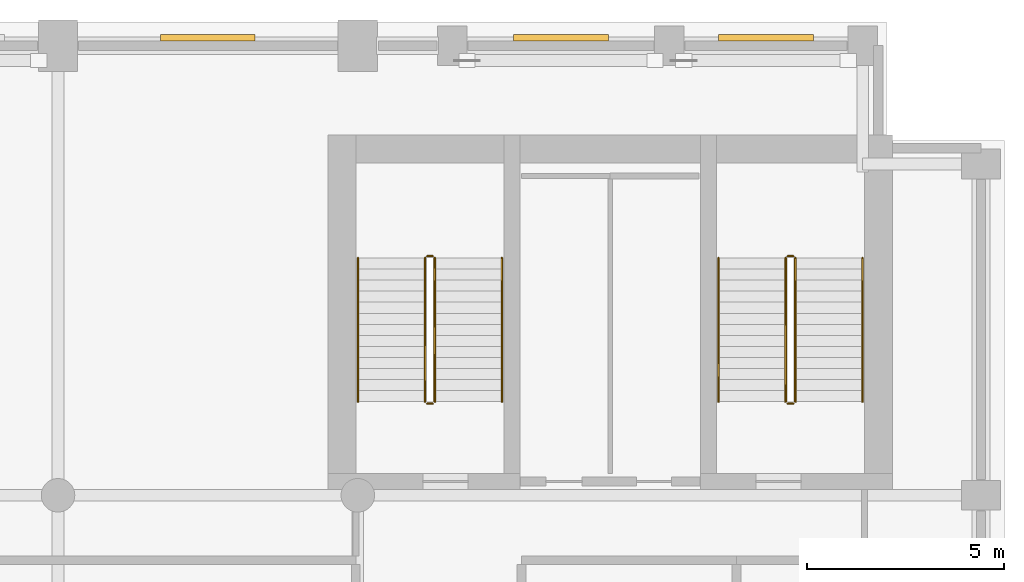
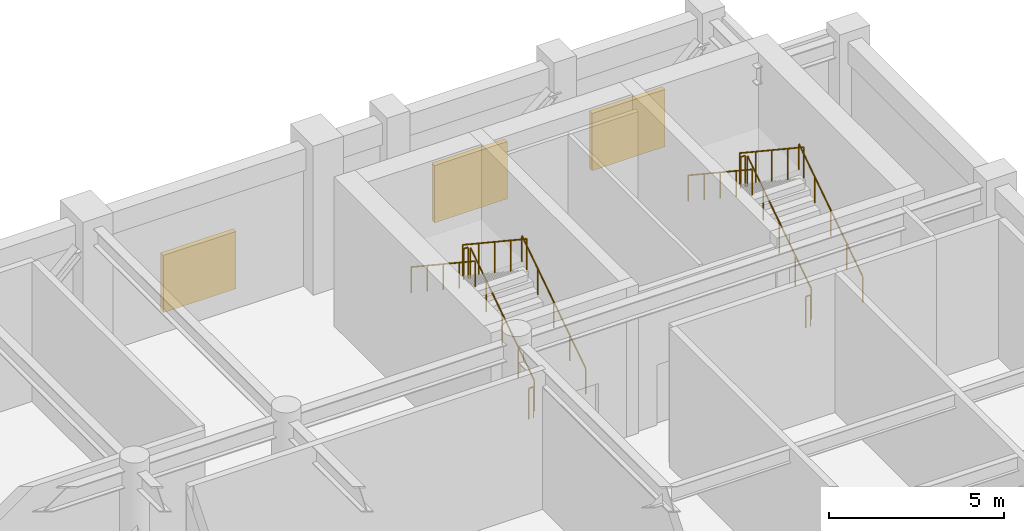
# One storey, part 11 of 11: 12 railings, 3 shading devices.
"""IFC4 building model written with IfcOpenShell, lengths in metres."""

from ifc_helpers import new_model, si_unit, direction, frame, origin, origin_2d, place, context, subcontext, project, spatial, rectangle, circle, extrude, material, type_object, element, save


model = new_model("IFC4")

# Units and contexts
model_context = context("Model", 3, precision=1e-05, world=origin(), true_north=direction((0.0, 1.0)))
body_context = subcontext(model_context, "Body", "Model", "MODEL_VIEW")
ifc_project = project(units=[si_unit("LENGTHUNIT", "METRE"), si_unit("AREAUNIT", "SQUARE_METRE"), si_unit("VOLUMEUNIT", "CUBIC_METRE"), si_unit("PLANEANGLEUNIT", "RADIAN"), si_unit("MASSUNIT", "GRAM", prefix="KILO")], contexts=[model_context])

# Site, building, storey
site_placement = place(None, origin())
site = spatial("IfcSite", under=ifc_project, at=site_placement, CompositionType="ELEMENT")
building_placement = place(site_placement, origin())
building = spatial("IfcBuilding", under=site, at=building_placement, Name="Sulina Concourse Tower", CompositionType="ELEMENT")
storey_placement = place(building_placement, frame((0.0, 0.0, 238.60009765625)))
storey = spatial("IfcBuildingStorey", under=building, at=storey_placement, Name="L58", CompositionType="ELEMENT", Elevation=238.60009765625)

# Railings
ifc_material_1 = material(Name="Galvanised steel railing", Category="steel")
railing_type_1 = type_object("IfcRailingType", Name="Core Stair Steel Guardrail 1150mm", PredefinedType="GUARDRAIL", material=ifc_material_1)
railing_1_placement = place(storey_placement, frame((43.554931640625, 36.375, 0.185546875)))
element("IfcRailing", 1, at=railing_1_placement, inside=storey, type_object=railing_type_1, Name="L58 ST-3 stair guard 1", PredefinedType="GUARDRAIL", context=body_context, shape_type="SweptSolid", body=[
    extrude(circle(Radius=0.02392578125, at=origin_2d()), frame((0.0, 0.0, 1.076171875), z_axis=(0.0, 0.833346510843, 0.552750932036), x_axis=(-1.0, 0.0, 0.0)), (0.0, 0.0, 1.0), 4.367919921875),
    extrude(circle(Radius=0.02099609375, at=origin_2d()), origin(), (0.0, 0.0, 1.0), 1.052001953125),
    extrude(circle(Radius=0.02099609375, at=origin_2d()), frame((0.0, 0.909912109375, 0.603515625)), (0.0, 0.0, 1.0), 1.052001953125),
    extrude(circle(Radius=0.02099609375, at=origin_2d()), frame((0.0, 1.81982421875, 1.20703125)), (0.0, 0.0, 1.0), 1.052001953125),
    extrude(circle(Radius=0.02099609375, at=origin_2d()), frame((0.0, 2.72998046875, 1.810791015625)), (0.0, 0.0, 1.0), 1.052001953125),
    extrude(circle(Radius=0.02099609375, at=origin_2d()), frame((0.0, 3.639892578125, 2.414306640625)), (0.0, 0.0, 1.0), 1.052001953125),
])
railing_2_placement = place(storey_placement, frame((43.5048828125, 40.06494140625, 2.599853515625)))
element("IfcRailing", 2, at=railing_2_placement, inside=storey, type_object=railing_type_1, Name="L58 ST-3 stair guard 2", PredefinedType="GUARDRAIL", context=body_context, shape_type="SweptSolid", body=[
    extrude(circle(Radius=0.02392578125, at=origin_2d()), frame((0.0, 0.0, 1.076171875), z_axis=(-1.0, 0.0, 0.0), x_axis=(0.0, -1.0, 0.0)), (0.0, 0.0, 1.0), 0.14990234375),
    extrude(circle(Radius=0.02099609375, at=origin_2d()), origin(), (0.0, 0.0, 1.0), 1.052001953125),
    extrude(circle(Radius=0.02099609375, at=origin_2d()), frame((-0.14990234375, 0.0, 0.0)), (0.0, 0.0, 1.0), 1.052001953125),
])
railing_3_placement = place(storey_placement, frame((43.304931640625, 40.014892578125, 2.78564453125)))
element("IfcRailing", 3, at=railing_3_placement, inside=storey, type_object=railing_type_1, Name="L58 ST-3 stair guard 3", PredefinedType="GUARDRAIL", context=body_context, shape_type="SweptSolid", body=[
    extrude(circle(Radius=0.02392578125, at=origin_2d()), frame((0.0, 0.0, 1.076171875), z_axis=(0.0, -0.833346510843, 0.552750932036), x_axis=(1.0, 0.0, 0.0)), (0.0, 0.0, 1.0), 4.367919921875),
    extrude(circle(Radius=0.02099609375, at=origin_2d()), origin(), (0.0, 0.0, 1.0), 1.052001953125),
    extrude(circle(Radius=0.02099609375, at=origin_2d()), frame((0.0, -0.909912109375, 0.603515625)), (0.0, 0.0, 1.0), 1.052001953125),
    extrude(circle(Radius=0.02099609375, at=origin_2d()), frame((0.0, -1.81982421875, 1.20703125)), (0.0, 0.0, 1.0), 1.052001953125),
    extrude(circle(Radius=0.02099609375, at=origin_2d()), frame((0.0, -2.72998046875, 1.810791015625)), (0.0, 0.0, 1.0), 1.052001953125),
    extrude(circle(Radius=0.02099609375, at=origin_2d()), frame((0.0, -3.639892578125, 2.414306640625)), (0.0, 0.0, 1.0), 1.052001953125),
])
railing_4_placement = place(storey_placement, frame((43.5048828125, 36.324951171875, 0.0)))
element("IfcRailing", 4, at=railing_4_placement, inside=storey, type_object=railing_type_1, Name="L58 ST-3 stair guard 4", PredefinedType="GUARDRAIL", context=body_context, shape_type="SweptSolid", body=[
    extrude(circle(Radius=0.02392578125, at=origin_2d()), frame((0.0, 0.0, 1.076171875), z_axis=(-1.0, 0.0, 0.0), x_axis=(0.0, -1.0, 0.0)), (0.0, 0.0, 1.0), 0.14990234375),
    extrude(circle(Radius=0.02099609375, at=origin_2d()), origin(), (0.0, 0.0, 1.0), 1.052001953125),
    extrude(circle(Radius=0.02099609375, at=origin_2d()), frame((-0.14990234375, 0.0, 0.0)), (0.0, 0.0, 1.0), 1.052001953125),
])
railing_5_placement = place(storey_placement, frame((52.695068359375, 36.375, 0.185546875)))
element("IfcRailing", 5, at=railing_5_placement, inside=storey, type_object=railing_type_1, Name="L58 ST-4 stair guard 1", PredefinedType="GUARDRAIL", context=body_context, shape_type="SweptSolid", body=[
    extrude(circle(Radius=0.02392578125, at=origin_2d()), frame((0.0, 0.0, 1.076171875), z_axis=(0.0, 0.833346510843, 0.552750932036), x_axis=(-1.0, 0.0, 0.0)), (0.0, 0.0, 1.0), 4.367919921875),
    extrude(circle(Radius=0.02099609375, at=origin_2d()), origin(), (0.0, 0.0, 1.0), 1.052001953125),
    extrude(circle(Radius=0.02099609375, at=origin_2d()), frame((0.0, 0.909912109375, 0.603515625)), (0.0, 0.0, 1.0), 1.052001953125),
    extrude(circle(Radius=0.02099609375, at=origin_2d()), frame((0.0, 1.81982421875, 1.20703125)), (0.0, 0.0, 1.0), 1.052001953125),
    extrude(circle(Radius=0.02099609375, at=origin_2d()), frame((0.0, 2.72998046875, 1.810791015625)), (0.0, 0.0, 1.0), 1.052001953125),
    extrude(circle(Radius=0.02099609375, at=origin_2d()), frame((0.0, 3.639892578125, 2.414306640625)), (0.0, 0.0, 1.0), 1.052001953125),
])
railing_6_placement = place(storey_placement, frame((52.64501953125, 40.06494140625, 2.599853515625)))
element("IfcRailing", 6, at=railing_6_placement, inside=storey, type_object=railing_type_1, Name="L58 ST-4 stair guard 2", PredefinedType="GUARDRAIL", context=body_context, shape_type="SweptSolid", body=[
    extrude(circle(Radius=0.02392578125, at=origin_2d()), frame((0.0, 0.0, 1.076171875), z_axis=(-1.0, 0.0, 0.0), x_axis=(0.0, -1.0, 0.0)), (0.0, 0.0, 1.0), 0.14990234375),
    extrude(circle(Radius=0.02099609375, at=origin_2d()), origin(), (0.0, 0.0, 1.0), 1.052001953125),
    extrude(circle(Radius=0.02099609375, at=origin_2d()), frame((-0.14990234375, 0.0, 0.0)), (0.0, 0.0, 1.0), 1.052001953125),
])
railing_7_placement = place(storey_placement, frame((52.445068359375, 40.014892578125, 2.78564453125)))
element("IfcRailing", 7, at=railing_7_placement, inside=storey, type_object=railing_type_1, Name="L58 ST-4 stair guard 3", PredefinedType="GUARDRAIL", context=body_context, shape_type="SweptSolid", body=[
    extrude(circle(Radius=0.02392578125, at=origin_2d()), frame((0.0, 0.0, 1.076171875), z_axis=(0.0, -0.833346510843, 0.552750932036), x_axis=(1.0, 0.0, 0.0)), (0.0, 0.0, 1.0), 4.367919921875),
    extrude(circle(Radius=0.02099609375, at=origin_2d()), origin(), (0.0, 0.0, 1.0), 1.052001953125),
    extrude(circle(Radius=0.02099609375, at=origin_2d()), frame((0.0, -0.909912109375, 0.603515625)), (0.0, 0.0, 1.0), 1.052001953125),
    extrude(circle(Radius=0.02099609375, at=origin_2d()), frame((0.0, -1.81982421875, 1.20703125)), (0.0, 0.0, 1.0), 1.052001953125),
    extrude(circle(Radius=0.02099609375, at=origin_2d()), frame((0.0, -2.72998046875, 1.810791015625)), (0.0, 0.0, 1.0), 1.052001953125),
    extrude(circle(Radius=0.02099609375, at=origin_2d()), frame((0.0, -3.639892578125, 2.414306640625)), (0.0, 0.0, 1.0), 1.052001953125),
])
railing_8_placement = place(storey_placement, frame((52.64501953125, 36.324951171875, 0.0)))
element("IfcRailing", 8, at=railing_8_placement, inside=storey, type_object=railing_type_1, Name="L58 ST-4 stair guard 4", PredefinedType="GUARDRAIL", context=body_context, shape_type="SweptSolid", body=[
    extrude(circle(Radius=0.02392578125, at=origin_2d()), frame((0.0, 0.0, 1.076171875), z_axis=(-1.0, 0.0, 0.0), x_axis=(0.0, -1.0, 0.0)), (0.0, 0.0, 1.0), 0.14990234375),
    extrude(circle(Radius=0.02099609375, at=origin_2d()), origin(), (0.0, 0.0, 1.0), 1.052001953125),
    extrude(circle(Radius=0.02099609375, at=origin_2d()), frame((-0.14990234375, 0.0, 0.0)), (0.0, 0.0, 1.0), 1.052001953125),
])

# Shading devices
ifc_material_2 = material(Name="Anodised bronze aluminium", Category="aluminium")
shading_device_type = type_object("IfcShadingDeviceType", Name="Plant Room Acoustic Weather Louvre Bank", PredefinedType="JALOUSIE", material=ifc_material_2)
for number, where, z_axis, x_axis, name in (
    (9, (37.800048828125, 45.60009765625, 0.5), (0.0, 0.0, 1.0), (1.0, 0.0, 0.0), "L58 acoustic weather louvre N7"),
    (10, (46.75, 45.60009765625, 0.5), (0.0, 0.0, 1.0), (1.0, 0.0, 0.0), "L58 acoustic weather louvre N9"),
    (11, (51.949951171875, 45.60009765625, 0.5), (0.0, 0.0, 1.0), (1.0, 0.0, 0.0), "L58 acoustic weather louvre N10"),
):
    element("IfcShadingDevice", number, at=place(storey_placement, frame(where, z_axis=z_axis, x_axis=x_axis)), inside=storey, type_object=shading_device_type, Name=name, PredefinedType="JALOUSIE", context=body_context, shape_type="SweptSolid", body=[
        extrude(rectangle(XDim=2.39990234375, YDim=0.159912109375, at=origin_2d()), origin(), (0.0, 0.0, 1.0), 2.0),
    ])

# Railings
ifc_material_3 = material(Name="Galvanised steel railing", Category="steel")
railing_type_2 = type_object("IfcRailingType", Name="Stair Wall Steel Handrail 920mm", PredefinedType="HANDRAIL", material=ifc_material_3)
railing_9_placement = place(storey_placement, frame((45.2548828125, 36.375, 0.185546875)))
element("IfcRailing", 12, at=railing_9_placement, inside=storey, type_object=railing_type_2, Name="L58 ST-3 stair handrail 1", PredefinedType="HANDRAIL", context=body_context, shape_type="SweptSolid", body=[
    extrude(circle(Radius=0.02392578125, at=origin_2d()), frame((0.0, 0.0, 0.89599609375), z_axis=(0.0, 0.833346510843, 0.552750932036), x_axis=(-1.0, 0.0, 0.0)), (0.0, 0.0, 1.0), 4.367919921875),
    extrude(circle(Radius=0.02099609375, at=origin_2d()), origin(), (0.0, 0.0, 1.0), 0.871826171875),
    extrude(circle(Radius=0.02099609375, at=origin_2d()), frame((0.0, 0.909912109375, 0.603515625)), (0.0, 0.0, 1.0), 0.871826171875),
    extrude(circle(Radius=0.02099609375, at=origin_2d()), frame((0.0, 1.81982421875, 1.20703125)), (0.0, 0.0, 1.0), 0.871826171875),
    extrude(circle(Radius=0.02099609375, at=origin_2d()), frame((0.0, 2.72998046875, 1.810791015625)), (0.0, 0.0, 1.0), 0.871826171875),
    extrude(circle(Radius=0.02099609375, at=origin_2d()), frame((0.0, 3.639892578125, 2.414306640625)), (0.0, 0.0, 1.0), 0.871826171875),
])
railing_10_placement = place(storey_placement, frame((41.60498046875, 40.014892578125, 2.78564453125)))
element("IfcRailing", 13, at=railing_10_placement, inside=storey, type_object=railing_type_2, Name="L58 ST-3 stair handrail 2", PredefinedType="HANDRAIL", context=body_context, shape_type="SweptSolid", body=[
    extrude(circle(Radius=0.02392578125, at=origin_2d()), frame((0.0, 0.0, 0.89599609375), z_axis=(0.0, -0.833346510843, 0.552750932036), x_axis=(1.0, 0.0, 0.0)), (0.0, 0.0, 1.0), 4.367919921875),
    extrude(circle(Radius=0.02099609375, at=origin_2d()), origin(), (0.0, 0.0, 1.0), 0.871826171875),
    extrude(circle(Radius=0.02099609375, at=origin_2d()), frame((0.0, -0.909912109375, 0.603515625)), (0.0, 0.0, 1.0), 0.871826171875),
    extrude(circle(Radius=0.02099609375, at=origin_2d()), frame((0.0, -1.81982421875, 1.20703125)), (0.0, 0.0, 1.0), 0.871826171875),
    extrude(circle(Radius=0.02099609375, at=origin_2d()), frame((0.0, -2.72998046875, 1.810791015625)), (0.0, 0.0, 1.0), 0.871826171875),
    extrude(circle(Radius=0.02099609375, at=origin_2d()), frame((0.0, -3.639892578125, 2.414306640625)), (0.0, 0.0, 1.0), 0.871826171875),
])
railing_11_placement = place(storey_placement, frame((54.39501953125, 36.375, 0.185546875)))
element("IfcRailing", 14, at=railing_11_placement, inside=storey, type_object=railing_type_2, Name="L58 ST-4 stair handrail 1", PredefinedType="HANDRAIL", context=body_context, shape_type="SweptSolid", body=[
    extrude(circle(Radius=0.02392578125, at=origin_2d()), frame((0.0, 0.0, 0.89599609375), z_axis=(0.0, 0.833346510843, 0.552750932036), x_axis=(-1.0, 0.0, 0.0)), (0.0, 0.0, 1.0), 4.367919921875),
    extrude(circle(Radius=0.02099609375, at=origin_2d()), origin(), (0.0, 0.0, 1.0), 0.871826171875),
    extrude(circle(Radius=0.02099609375, at=origin_2d()), frame((0.0, 0.909912109375, 0.603515625)), (0.0, 0.0, 1.0), 0.871826171875),
    extrude(circle(Radius=0.02099609375, at=origin_2d()), frame((0.0, 1.81982421875, 1.20703125)), (0.0, 0.0, 1.0), 0.871826171875),
    extrude(circle(Radius=0.02099609375, at=origin_2d()), frame((0.0, 2.72998046875, 1.810791015625)), (0.0, 0.0, 1.0), 0.871826171875),
    extrude(circle(Radius=0.02099609375, at=origin_2d()), frame((0.0, 3.639892578125, 2.414306640625)), (0.0, 0.0, 1.0), 0.871826171875),
])
railing_12_placement = place(storey_placement, frame((50.7451171875, 40.014892578125, 2.78564453125)))
element("IfcRailing", 15, at=railing_12_placement, inside=storey, type_object=railing_type_2, Name="L58 ST-4 stair handrail 2", PredefinedType="HANDRAIL", context=body_context, shape_type="SweptSolid", body=[
    extrude(circle(Radius=0.02392578125, at=origin_2d()), frame((0.0, 0.0, 0.89599609375), z_axis=(0.0, -0.833346510843, 0.552750932036), x_axis=(1.0, 0.0, 0.0)), (0.0, 0.0, 1.0), 4.367919921875),
    extrude(circle(Radius=0.02099609375, at=origin_2d()), origin(), (0.0, 0.0, 1.0), 0.871826171875),
    extrude(circle(Radius=0.02099609375, at=origin_2d()), frame((0.0, -0.909912109375, 0.603515625)), (0.0, 0.0, 1.0), 0.871826171875),
    extrude(circle(Radius=0.02099609375, at=origin_2d()), frame((0.0, -1.81982421875, 1.20703125)), (0.0, 0.0, 1.0), 0.871826171875),
    extrude(circle(Radius=0.02099609375, at=origin_2d()), frame((0.0, -2.72998046875, 1.810791015625)), (0.0, 0.0, 1.0), 0.871826171875),
    extrude(circle(Radius=0.02099609375, at=origin_2d()), frame((0.0, -3.639892578125, 2.414306640625)), (0.0, 0.0, 1.0), 0.871826171875),
])

save(model, "model.ifc")
